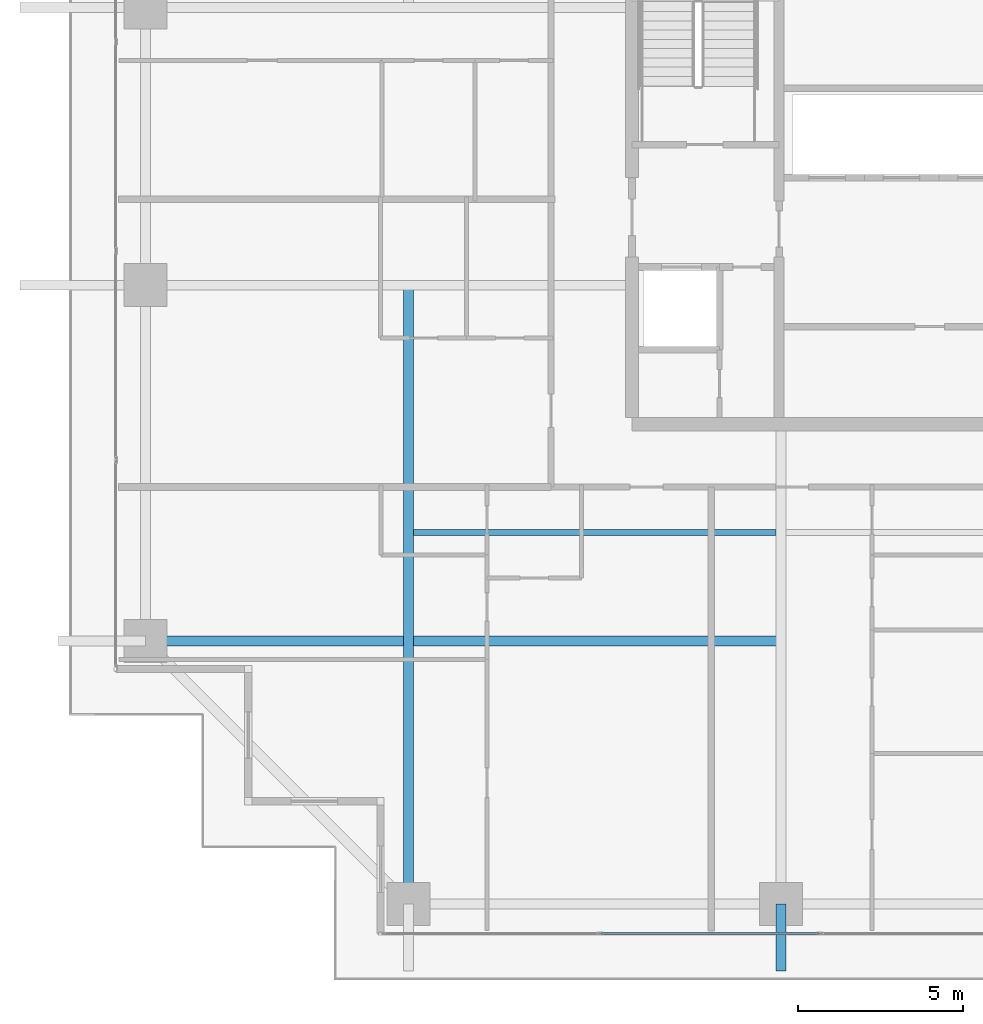
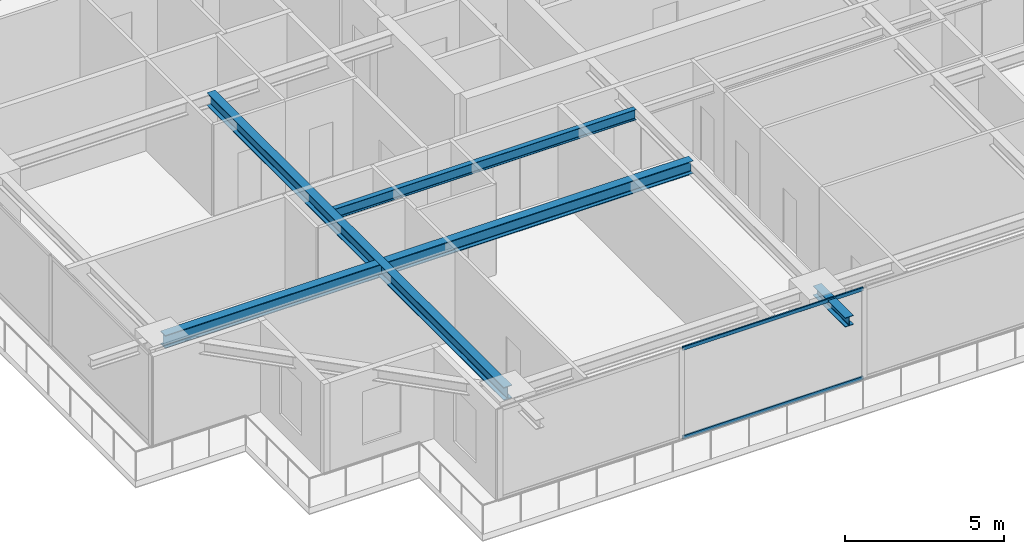
# One storey, part 4 of 33: 4 beams, 2 members, 1 element without a shape of its own.
"""IFC4 building model written with IfcOpenShell, lengths in metres."""

from ifc_helpers import new_model, si_unit, direction, frame, origin, origin_2d, place, context, subcontext, project, spatial, hollow_rectangle, i_section, extrude, source, transform, mapped, material, layer, layer_set, material_profile, profile_set, type_object, element, aggregate, save


model = new_model("IFC4")

# Units and contexts
model_context = context("Model", 3, precision=1e-05, world=origin(), true_north=direction((0.0, 1.0)))
body_context = subcontext(model_context, "Body", "Model", "MODEL_VIEW")
ifc_project = project(units=[si_unit("LENGTHUNIT", "METRE"), si_unit("AREAUNIT", "SQUARE_METRE"), si_unit("VOLUMEUNIT", "CUBIC_METRE"), si_unit("PLANEANGLEUNIT", "RADIAN"), si_unit("MASSUNIT", "GRAM", prefix="KILO")], contexts=[model_context])

# Site, building, storey
site_placement = place(None, origin())
site = spatial("IfcSite", under=ifc_project, at=site_placement, CompositionType="ELEMENT")
building_placement = place(site_placement, origin())
building = spatial("IfcBuilding", under=site, at=building_placement, Name="Serunith Strait Residences", CompositionType="ELEMENT")
storey_placement = place(building_placement, frame((0.0, 0.0, 165.14990234375)))
storey = spatial("IfcBuildingStorey", under=building, at=storey_placement, Name="L41", CompositionType="ELEMENT", Elevation=165.14990234375)

# Beams
ifc_material_1 = material(Name="Steel S355J2", Category="steel")
ifc_material_profile_1 = material_profile(ifc_material_1, i_section(OverallWidth=0.300048828125, OverallDepth=0.5, WebThickness=0.014404296875, FlangeThickness=0.028076171875, FilletRadius=0.027099609375, at=origin_2d()), Name="HEB 500")
ifc_profile_set_1 = profile_set([ifc_material_profile_1], Name="Steel S355J2")
beam_type_1 = type_object("IfcBeamType", Name="BM-HEB500", PredefinedType="BEAM", material=ifc_profile_set_1)
shared_shape_1 = source(origin(), body_context, "Body", "SweptSolid", [
    extrude(i_section(OverallWidth=0.300048828125, OverallDepth=0.5, WebThickness=0.014404296875, FlangeThickness=0.028076171875, FilletRadius=0.027099609375, at=origin_2d()), origin(), (0.0, 0.0, 1.0), 18.699951171875),
])
beam_1_placement = place(storey_placement, frame((16.64990234375, 21.0, 3.237060546875), z_axis=(0.0, -1.0, 0.0), x_axis=(1.0, 0.0, 0.0)))
element("IfcBeam", 1, at=beam_1_placement, inside=storey, type_object=beam_type_1, Name="L41 Orthogonal Corner Girder TC-S1", PredefinedType="BEAM", context=body_context, shape_type="MappedRepresentation", body=[
    mapped(shared_shape_1, transform((0.0, 0.0, 0.0), scale=1.0)),
])
shared_shape_2 = source(origin(), body_context, "Body", "SweptSolid", [
    extrude(i_section(OverallWidth=0.300048828125, OverallDepth=0.5, WebThickness=0.014404296875, FlangeThickness=0.028076171875, FilletRadius=0.027099609375, at=origin_2d()), origin(), (0.0, 0.0, 1.0), 19.199951171875),
])
beam_2_placement = place(storey_placement, frame((27.89990234375, 10.25, 3.237060546875), z_axis=(-1.0, 0.0, 0.0), x_axis=(0.0, -1.0, 0.0)))
element("IfcBeam", 2, at=beam_2_placement, inside=storey, type_object=beam_type_1, Name="L41 Orthogonal Corner Girder TC-W1", PredefinedType="BEAM", context=body_context, shape_type="MappedRepresentation", body=[
    mapped(shared_shape_2, transform((0.0, 0.0, 0.0), scale=1.0)),
])
ifc_material_profile_2 = material_profile(ifc_material_1, i_section(OverallWidth=0.300048828125, OverallDepth=0.360107421875, WebThickness=0.012451171875, FlangeThickness=0.0224609375, FilletRadius=0.027099609375, at=origin_2d()), Name="HEB 360")
ifc_profile_set_2 = profile_set([ifc_material_profile_2], Name="Steel S355J2")
beam_type_2 = type_object("IfcBeamType", Name="BM-HEB360", PredefinedType="BEAM", material=ifc_profile_set_2)
shared_shape_3 = source(origin(), body_context, "Body", "SweptSolid", [
    extrude(i_section(OverallWidth=0.300048828125, OverallDepth=0.360107421875, WebThickness=0.012451171875, FlangeThickness=0.0224609375, FilletRadius=0.027099609375, at=origin_2d()), origin(), (0.0, 0.0, 1.0), 2.030029296875),
])
beam_3_placement = place(storey_placement, frame((27.89990234375, 2.300048828125, 3.277099609375), z_axis=(0.0, -1.0, 0.0), x_axis=(1.0, 0.0, 0.0)))
element("IfcBeam", 3, at=beam_3_placement, inside=storey, type_object=beam_type_2, Name="L42 Cantilevered Balcony Rib TC-S2", PredefinedType="BEAM", context=body_context, shape_type="MappedRepresentation", body=[
    mapped(shared_shape_3, transform((0.0, 0.0, 0.0), scale=1.0)),
])
ifc_material_profile_3 = material_profile(ifc_material_1, i_section(OverallWidth=0.179931640625, OverallDepth=0.39990234375, WebThickness=0.008544921875, FlangeThickness=0.013427734375, FilletRadius=0.02099609375, at=origin_2d()), Name="IPE 400")
ifc_profile_set_3 = profile_set([ifc_material_profile_3], Name="Steel S355J2")
beam_type_3 = type_object("IfcBeamType", Name="BM-IPE400", PredefinedType="JOIST", material=ifc_profile_set_3)
shared_shape_4 = source(origin(), body_context, "Body", "SweptSolid", [
    extrude(i_section(OverallWidth=0.179931640625, OverallDepth=0.39990234375, WebThickness=0.008544921875, FlangeThickness=0.013427734375, FilletRadius=0.02099609375, at=origin_2d()), origin(), (0.0, 0.0, 1.0), 10.949951171875),
])
beam_4_placement = place(storey_placement, frame((16.800048828125, 13.52490234375, 3.287109375), z_axis=(1.0, 0.0, 0.0), x_axis=(0.0, 1.0, 0.0)))
element("IfcBeam", 4, at=beam_4_placement, inside=storey, type_object=beam_type_3, Name="L41 Composite Floor Joist 01", PredefinedType="JOIST", context=body_context, shape_type="MappedRepresentation", body=[
    mapped(shared_shape_4, transform((0.0, 0.0, 0.0), scale=1.0)),
])

# Curtain wall, members
ifc_material_2 = material(Name="Pale-Champagne Anodised Aluminium", Category="aluminium")
ifc_layer = layer(ifc_material_2, 0.199951171875, Name="Pale-Champagne Anodised Aluminium")
ifc_layer_set = layer_set([ifc_layer], Name="Pale-Champagne Anodised Aluminium")
curtain_wall_type = type_object("IfcCurtainWallType", Name="CW-SYS2", PredefinedType="NOTDEFINED", material=ifc_layer_set)
curtain_wall_placement = place(storey_placement, origin())
curtain_wall = element("IfcCurtainWall", 5, at=curtain_wall_placement, inside=storey, type_object=curtain_wall_type, Name="L41 S Unitised Fritted Curtain Wall", PredefinedType="NOTDEFINED")
ifc_material_profile_4 = material_profile(ifc_material_2, hollow_rectangle(XDim=0.06005859375, YDim=0.139892578125, WallThickness=0.00341796875, InnerFilletRadius=0.00537109375, OuterFilletRadius=0.0087890625, at=origin_2d()), Name="ALU 140x60x3.5")
ifc_profile_set_4 = profile_set([ifc_material_profile_4], Name="Pale-Champagne Anodised Aluminium")
member_type = type_object("IfcMemberType", Name="CW-SYS2-TRAN", PredefinedType="USERDEFINED", material=ifc_profile_set_4)
shared_shape_5 = source(origin(), body_context, "Body", "SweptSolid", [
    extrude(hollow_rectangle(XDim=0.06005859375, YDim=0.139892578125, WallThickness=0.00341796875, InnerFilletRadius=0.00537109375, OuterFilletRadius=0.0087890625, at=origin_2d()), origin(), (0.0, 0.0, 1.0), 6.56982421875),
])
member_1_placement = place(storey_placement, frame((22.47509765625, 1.39990234375, 0.030029296875), z_axis=(1.0, 0.0, 0.0), x_axis=(0.0, 1.0, 0.0)))
member_1 = element("IfcMember", 6, at=member_1_placement, type_object=member_type, Name="CW-2 transom 2.1", ObjectType="TRANSOM", PredefinedType="USERDEFINED", context=body_context, shape_type="MappedRepresentation", body=[
    mapped(shared_shape_5, transform((0.0, 0.0, 0.0), scale=1.0)),
])
member_2_placement = place(storey_placement, frame((22.47509765625, 1.39990234375, 3.445068359375), z_axis=(1.0, 0.0, 0.0), x_axis=(0.0, 1.0, 0.0)))
member_2 = element("IfcMember", 7, at=member_2_placement, type_object=member_type, Name="CW-2 transom 2.2", ObjectType="TRANSOM", PredefinedType="USERDEFINED", context=body_context, shape_type="MappedRepresentation", body=[
    mapped(shared_shape_5, transform((0.0, 0.0, 0.0), scale=1.0)),
])
aggregate(curtain_wall, [member_1, member_2])

save(model, "model.ifc")
